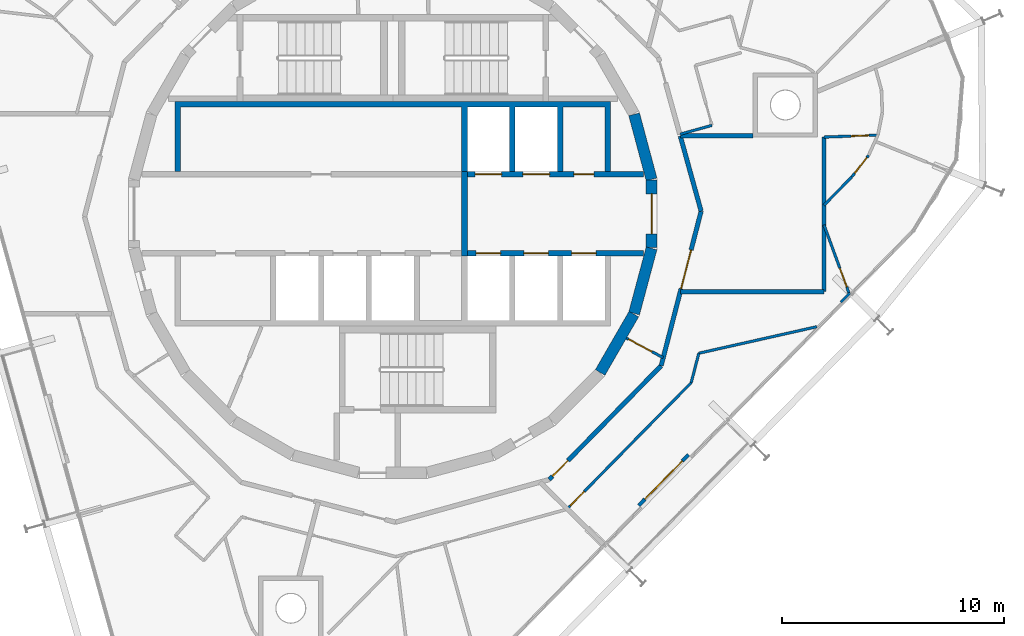
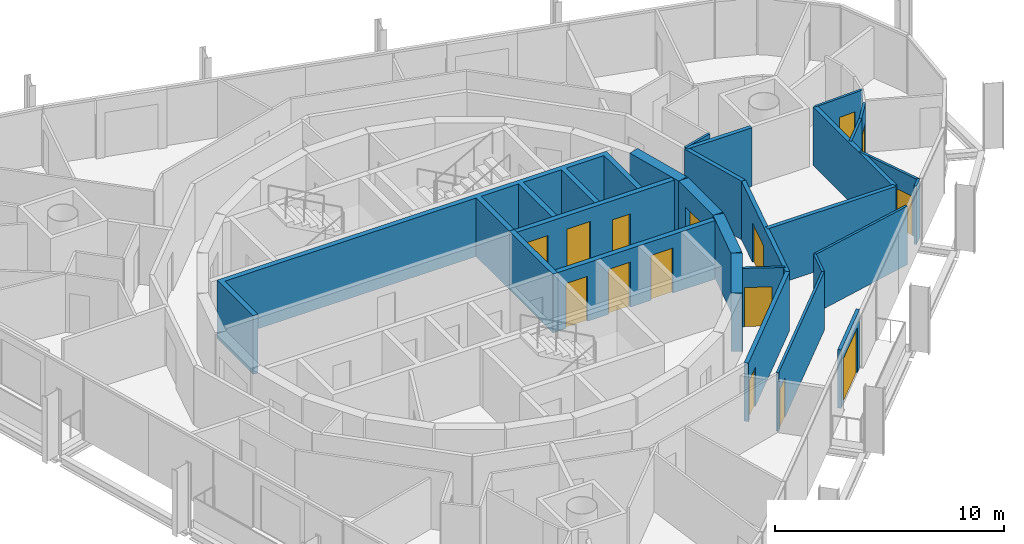
# One storey, part 11 of 15: 25 walls, 15 doors, 15 openings.
"""IFC4 building model written with IfcOpenShell, lengths in metres."""

from ifc_helpers import new_model, si_unit, direction, frame, frame_2d, origin, place, context, subcontext, project, spatial, polyline, rectangle, outline, extrude, material, layer, layer_set, type_object, element, fill, save


model = new_model("IFC4")

# Units and contexts
model_context = context("Model", 3, precision=1e-05, world=origin(), true_north=direction((0.0, 1.0)))
body_context = subcontext(model_context, "Body", "Model", "MODEL_VIEW")
ifc_project = project(units=[si_unit("LENGTHUNIT", "METRE"), si_unit("AREAUNIT", "SQUARE_METRE"), si_unit("VOLUMEUNIT", "CUBIC_METRE"), si_unit("PLANEANGLEUNIT", "RADIAN"), si_unit("MASSUNIT", "GRAM", prefix="KILO")], contexts=[model_context])

# Site, building, storey
site_placement = place(None, origin())
site = spatial("IfcSite", under=ifc_project, at=site_placement, CompositionType="ELEMENT")
building_placement = place(site_placement, origin())
building = spatial("IfcBuilding", under=site, at=building_placement, Name="Spindle Arch Residences", CompositionType="ELEMENT")
storey_placement = place(building_placement, frame((0.0, 0.0, 308.699951171875)))
storey = spatial("IfcBuildingStorey", under=building, at=storey_placement, Name="L79", CompositionType="ELEMENT", Elevation=308.699951171875)

# Walls
ifc_material_1 = material(Name="Concrete C50/60", Category="concrete")
ifc_layer_1 = layer(ifc_material_1, 0.5)
ifc_layer_set_1 = layer_set([ifc_layer_1], Name="Core outline wall 500")
wall_type_1 = type_object("IfcWallType", Name="Core outline wall 500", PredefinedType="SHEAR", material=ifc_layer_set_1)
for number, where, z_axis, x_axis, name in (
    (1, (9.32861328125, -7.13671875, 0.0), (0.0, 0.0, 1.0), (0.500087131594, 0.865975092491, 0.0), "Core outline wall 4"),
    (2, (10.858154296875, -4.479248046875, 0.0), (0.0, 0.0, 1.0), (0.258734743916, 0.965948410781, 0.0), "Core outline wall 5"),
):
    element("IfcWall", number, at=place(storey_placement, frame(where, z_axis=z_axis, x_axis=x_axis)), inside=storey, type_object=wall_type_1, Name=name, PredefinedType="SHEAR", context=body_context, shape_type="SweptSolid", body=[
        extrude(rectangle(XDim=3.03271484375, YDim=0.5, at=frame_2d((1.516357421875, 0.0))), origin(), (0.0, 0.0, 1.0), 3.1201171875),
    ])

# Wall, opening, door
wall_1_placement = place(storey_placement, frame((11.647216796875, -1.516357421875, 0.0), z_axis=(0.0, 0.0, 1.0), x_axis=(0.0, 1.0, 0.0)))
wall_1 = element("IfcWall", 3, at=wall_1_placement, inside=storey, type_object=wall_type_1, Name="Core outline wall 6", PredefinedType="SHEAR", context=body_context, shape_type="SweptSolid", body=[
    extrude(rectangle(XDim=3.03271484375, YDim=0.5, at=frame_2d((1.516357421875, 0.0))), origin(), (0.0, 0.0, 1.0), 3.1201171875),
])
opening_1_placement = place(wall_1_placement, frame((0.6162109375, 0.0, 0.0)))
opening_1 = element("IfcOpeningElement", 4, at=opening_1_placement, cuts=wall_1, Name="Opening R8B1-FE01", PredefinedType="OPENING", context=body_context, shape_type="SweptSolid", body=[
    extrude(rectangle(XDim=1.800048828125, YDim=2.10009765625, at=frame_2d((0.89990234375, 1.050048828125))), frame((0.0, 0.260009765625, 0.0), z_axis=(0.0, -1.0, 0.0), x_axis=(1.0, 0.0, 0.0)), (0.0, 0.0, 1.0), 0.52001953125),
])
ifc_material_2 = material(Name="Steel, fire-resisting door", Category="steel")
door_type_1 = type_object("IfcDoorType", Name="Fire-lift lobby door 1800x2100", OperationType="DOUBLE_DOOR_SINGLE_SWING", PredefinedType="DOOR", material=ifc_material_2)
door_1_placement = place(opening_1_placement, origin())
door_1 = element("IfcDoor", 5, at=door_1_placement, inside=storey, type_object=door_type_1, Name="Fire-lift lobby door R8B1-FE01", OperationType="DOUBLE_DOOR_SINGLE_SWING", OverallHeight=2.10009765625, OverallWidth=1.800048828125, PredefinedType="DOOR", context=body_context, shape_type="SweptSolid", body=[
    extrude(rectangle(XDim=1.800048828125, YDim=2.10009765625, at=frame_2d((0.89990234375, 1.050048828125))), frame((0.0, 0.02490234375, 0.0), z_axis=(0.0, -1.0, 0.0), x_axis=(1.0, 0.0, 0.0)), (0.0, 0.0, 1.0), 0.050048828125),
])
fill(opening_1, door_1)

# Wall
wall_2_placement = place(storey_placement, frame((11.642822265625, 1.5498046875, 0.0), z_axis=(0.0, 0.0, 1.0), x_axis=(-0.258734743916, 0.965948410781, 0.0)))
element("IfcWall", 6, at=wall_2_placement, inside=storey, type_object=wall_type_1, Name="Core outline wall 7", PredefinedType="SHEAR", context=body_context, shape_type="SweptSolid", body=[
    extrude(rectangle(XDim=3.03271484375, YDim=0.5, at=frame_2d((1.516357421875, 0.0))), origin(), (0.0, 0.0, 1.0), 3.1201171875),
])

# Wall, opening, door
ifc_material_3 = material(Name="Plasterboard on steel studs", Category="steel")
ifc_layer_2 = layer(ifc_material_3, 0.1201171875)
ifc_layer_set_2 = layer_set([ifc_layer_2], Name="Corridor division wall 120")
wall_type_2 = type_object("IfcWallType", Name="Corridor division wall 120", PredefinedType="PARTITIONING", material=ifc_layer_set_2)
wall_3_placement = place(storey_placement, frame((10.510986328125, -5.5888671875, 0.0), z_axis=(0.0, 0.0, 1.0), x_axis=(0.882957311919, -0.469453283437, 0.0)))
wall_3 = element("IfcWall", 7, at=wall_3_placement, inside=storey, type_object=wall_type_2, Name="Corridor division wall R8B1-W002", PredefinedType="PARTITIONING", context=body_context, shape_type="SweptSolid", body=[
    extrude(rectangle(XDim=1.87646484375, YDim=0.1201171875, at=frame_2d((0.938232421875, 0.0))), origin(), (0.0, 0.0, 1.0), 3.1201171875),
])
opening_2_placement = place(wall_3_placement, frame((0.10009765625, 0.0, 0.0)))
opening_2 = element("IfcOpeningElement", 8, at=opening_2_placement, cuts=wall_3, Name="Opening R8B1-CD02", PredefinedType="OPENING", context=body_context, shape_type="SweptSolid", body=[
    extrude(rectangle(XDim=1.199951171875, YDim=2.10009765625, at=frame_2d((0.60009765625, 1.050048828125))), frame((0.0, 0.070068359375, 0.0), z_axis=(0.0, -1.0, 0.0), x_axis=(1.0, 0.0, 0.0)), (0.0, 0.0, 1.0), 0.14013671875),
])
ifc_material_4 = material(Name="Steel, fire-resisting door", Category="steel")
door_type_2 = type_object("IfcDoorType", Name="Corridor division door 1200x2100", OperationType="NOTDEFINED", PredefinedType="DOOR", material=ifc_material_4)
door_2_placement = place(opening_2_placement, origin())
door_2 = element("IfcDoor", 9, at=door_2_placement, inside=storey, type_object=door_type_2, Name="Corridor division door R8B1-CD02", OperationType="DOUBLE_DOOR_SINGLE_SWING", OverallHeight=2.10009765625, OverallWidth=1.199951171875, PredefinedType="DOOR", context=body_context, shape_type="SweptSolid", body=[
    extrude(rectangle(XDim=1.199951171875, YDim=2.10009765625, at=frame_2d((0.60009765625, 1.050048828125))), frame((0.0, 0.02490234375, 0.0), z_axis=(0.0, -1.0, 0.0), x_axis=(1.0, 0.0, 0.0)), (0.0, 0.0, 1.0), 0.050048828125),
])
fill(opening_2, door_2)

ifc_material_5 = material(Name="Calcium silicate block, plastered")
ifc_layer_3 = layer(ifc_material_5, 0.199951171875)
ifc_layer_set_3 = layer_set([ifc_layer_3], Name="Corridor wall 200")
wall_type_3 = type_object("IfcWallType", Name="Corridor wall 200", PredefinedType="STANDARD", material=ifc_layer_set_3)
wall_4_placement = place(storey_placement, frame((7.041015625, -11.953125, 0.0), z_axis=(0.0, 0.0, 1.0), x_axis=(0.70090916255, 0.713250549143, 0.0)))
wall_4 = element("IfcWall", 10, at=wall_4_placement, inside=storey, type_object=wall_type_3, Name="Corridor wall R8B1-W016", PredefinedType="STANDARD", context=body_context, shape_type="SweptSolid", body=[
    extrude(rectangle(XDim=7.180908203125, YDim=0.199951171875, at=frame_2d((3.59033203125, 0.0))), origin(), (0.0, 0.0, 1.0), 3.1201171875),
])
opening_3_placement = place(wall_4_placement, frame((0.199951171875, 0.0, 0.0)))
opening_3 = element("IfcOpeningElement", 11, at=opening_3_placement, cuts=wall_4, Name="Opening R8B1-FD06", PredefinedType="OPENING", context=body_context, shape_type="SweptSolid", body=[
    extrude(rectangle(XDim=1.0, YDim=2.10009765625, at=frame_2d((0.5, 1.050048828125))), frame((0.0, 0.10986328125, 0.0), z_axis=(0.0, -1.0, 0.0), x_axis=(1.0, 0.0, 0.0)), (0.0, 0.0, 1.0), 0.219970703125),
])
ifc_material_6 = material(Name="Timber, fire-resisting door set", Category="wood")
door_type_3 = type_object("IfcDoorType", Name="Flat entrance door 1000x2100", OperationType="NOTDEFINED", PredefinedType="DOOR", material=ifc_material_6)
door_3_placement = place(opening_3_placement, origin())
door_3 = element("IfcDoor", 12, at=door_3_placement, inside=storey, type_object=door_type_3, Name="Flat entrance door R8B1-FD06", OperationType="SINGLE_SWING_LEFT", OverallHeight=2.10009765625, OverallWidth=1.0, PredefinedType="DOOR", context=body_context, shape_type="SweptSolid", body=[
    extrude(rectangle(XDim=1.0, YDim=2.10009765625, at=frame_2d((0.5, 1.050048828125))), frame((0.0, 0.02490234375, 0.0), z_axis=(0.0, -1.0, 0.0), x_axis=(1.0, 0.0, 0.0)), (0.0, 0.0, 1.0), 0.050048828125),
])
fill(opening_3, door_3)

ifc_material_7 = material(Name="Calcium silicate block, plastered")
ifc_layer_4 = layer(ifc_material_7, 0.199951171875)
ifc_layer_set_4 = layer_set([ifc_layer_4], Name="Fire-lift lobby bay wall 200")
wall_type_4 = type_object("IfcWallType", Name="Fire-lift lobby bay wall 200", PredefinedType="STANDARD", material=ifc_layer_set_4)
wall_5_placement = place(storey_placement, frame((12.07421875, -6.831298828125, 0.0), z_axis=(0.0, 0.0, 1.0), x_axis=(0.250391063186, 0.968144780225, 0.0)))
wall_5 = element("IfcWall", 13, at=wall_5_placement, inside=storey, type_object=wall_type_4, Name="Fire-lift lobby bay wall R8B1-W004", PredefinedType="STANDARD", context=body_context, shape_type="SweptSolid", body=[
    extrude(rectangle(XDim=7.18115234375, YDim=0.199951171875, at=frame_2d((3.590576171875, 0.0))), origin(), (0.0, 0.0, 1.0), 3.1201171875),
])
opening_4_placement = place(wall_5_placement, frame((3.580810546875, 0.0, 0.0)))
opening_4 = element("IfcOpeningElement", 14, at=opening_4_placement, cuts=wall_5, Name="Opening R8B1-FB01", PredefinedType="OPENING", context=body_context, shape_type="SweptSolid", body=[
    extrude(rectangle(XDim=1.800048828125, YDim=2.10009765625, at=frame_2d((0.89990234375, 1.050048828125))), frame((0.0, 0.10986328125, 0.0), z_axis=(0.0, -1.0, 0.0), x_axis=(1.0, 0.0, 0.0)), (0.0, 0.0, 1.0), 0.219970703125),
])
ifc_material_8 = material(Name="Steel, fire-resisting door", Category="steel")
door_type_4 = type_object("IfcDoorType", Name="Fire-lift lobby bay door 1800x2100", OperationType="NOTDEFINED", PredefinedType="DOOR", material=ifc_material_8)
door_4_placement = place(opening_4_placement, origin())
door_4 = element("IfcDoor", 15, at=door_4_placement, inside=storey, type_object=door_type_4, Name="Fire-lift lobby bay door R8B1-FB01", OperationType="DOUBLE_DOOR_SINGLE_SWING", OverallHeight=2.10009765625, OverallWidth=1.800048828125, PredefinedType="DOOR", context=body_context, shape_type="SweptSolid", body=[
    extrude(rectangle(XDim=1.800048828125, YDim=2.10009765625, at=frame_2d((0.89990234375, 1.050048828125))), frame((0.0, 0.02490234375, 0.0), z_axis=(0.0, -1.0, 0.0), x_axis=(1.0, 0.0, 0.0)), (0.0, 0.0, 1.0), 0.050048828125),
])
fill(opening_4, door_4)

# Walls
wall_6_placement = place(storey_placement, frame((13.872314453125, 0.12109375, 0.0), z_axis=(0.0, 0.0, 1.0), x_axis=(-0.267291928416, 0.963615600228, 0.0)))
element("IfcWall", 16, at=wall_6_placement, inside=storey, type_object=wall_type_4, Name="Fire-lift lobby bay wall R8B1-W005", PredefinedType="STANDARD", context=body_context, shape_type="SweptSolid", body=[
    extrude(rectangle(XDim=3.506591796875, YDim=0.199951171875, at=frame_2d((1.75341796875, 0.0))), origin(), (0.0, 0.0, 1.0), 3.1201171875),
])
wall_7_placement = place(storey_placement, frame((16.20263671875, 3.510009765625, 0.0), z_axis=(0.0, 0.0, 1.0), x_axis=(-1.0, 0.0, 0.0)))
element("IfcWall", 17, at=wall_7_placement, inside=storey, type_object=wall_type_4, Name="Fire-lift lobby bay wall R8B1-W019", PredefinedType="STANDARD", context=body_context, shape_type="SweptSolid", body=[
    extrude(rectangle(XDim=3.260009765625, YDim=0.199951171875, at=frame_2d((1.6298828125, 0.0))), origin(), (0.0, 0.0, 1.0), 3.1201171875),
])
wall_8_placement = place(storey_placement, frame((12.935791015625, -3.5, 0.0), z_axis=(0.0, 0.0, 1.0), x_axis=(1.0, 0.0, 0.0)))
element("IfcWall", 18, at=wall_8_placement, inside=storey, type_object=wall_type_4, Name="Fire-lift lobby bay wall R8B1-W020", PredefinedType="STANDARD", context=body_context, shape_type="SweptSolid", body=[
    extrude(rectangle(XDim=6.464111328125, YDim=0.199951171875, at=frame_2d((3.23193359375, 0.0))), origin(), (0.0, 0.0, 1.0), 3.1201171875),
])
wall_9_placement = place(storey_placement, frame((19.39990234375, -3.5, 0.0), z_axis=(0.0, 0.0, 1.0), x_axis=(0.0, 1.0, 0.0)))
element("IfcWall", 19, at=wall_9_placement, inside=storey, type_object=wall_type_4, Name="Fire-lift lobby bay wall R8B1-W021", PredefinedType="STANDARD", context=body_context, shape_type="SweptSolid", body=[
    extrude(rectangle(XDim=6.953857421875, YDim=0.199951171875, at=frame_2d((3.47705078125, 0.0))), origin(), (0.0, 0.0, 1.0), 3.1201171875),
])

# Wall, openings, doors
ifc_material_9 = material(Name="Concrete C40/50", Category="concrete")
ifc_layer_5 = layer(ifc_material_9, 0.25)
ifc_layer_set_5 = layer_set([ifc_layer_5], Name="Fire-lift lobby wall 250")
wall_type_5 = type_object("IfcWallType", Name="Fire-lift lobby wall 250", PredefinedType="SHEAR", material=ifc_layer_set_5)
wall_10_placement = place(storey_placement, frame((3.35009765625, 1.77490234375, 0.0), z_axis=(0.0, 0.0, 1.0), x_axis=(1.0, 0.0, 0.0)))
wall_10 = element("IfcWall", 20, at=wall_10_placement, inside=storey, type_object=wall_type_5, Name="Lift shaft front wall NE", PredefinedType="SHEAR", context=body_context, shape_type="SweptSolid", body=[
    extrude(rectangle(XDim=7.929931640625, YDim=0.25, at=frame_2d((3.96484375, 0.0))), origin(), (0.0, 0.0, 1.0), 3.1201171875),
])
opening_5_placement = place(wall_10_placement, frame((0.35009765625, 0.0, 0.0)))
opening_5 = element("IfcOpeningElement", 21, at=opening_5_placement, cuts=wall_10, Name="Opening R8B1-SLD01", PredefinedType="OPENING", context=body_context, shape_type="SweptSolid", body=[
    extrude(rectangle(XDim=1.199951171875, YDim=2.39990234375, at=frame_2d((0.60009765625, 1.199951171875))), frame((0.0, 0.135009765625, 0.0), z_axis=(0.0, -1.0, 0.0), x_axis=(1.0, 0.0, 0.0)), (0.0, 0.0, 1.0), 0.27001953125),
])
opening_6_placement = place(wall_10_placement, frame((2.5, 0.0, 0.0)))
opening_6 = element("IfcOpeningElement", 22, at=opening_6_placement, cuts=wall_10, Name="Opening R8B1-SLD02", PredefinedType="OPENING", context=body_context, shape_type="SweptSolid", body=[
    extrude(rectangle(XDim=1.199951171875, YDim=2.39990234375, at=frame_2d((0.60009765625, 1.199951171875))), frame((0.0, 0.135009765625, 0.0), z_axis=(0.0, -1.0, 0.0), x_axis=(1.0, 0.0, 0.0)), (0.0, 0.0, 1.0), 0.27001953125),
])
opening_7_placement = place(wall_10_placement, frame((4.800048828125, 0.0, 0.0)))
opening_7 = element("IfcOpeningElement", 23, at=opening_7_placement, cuts=wall_10, Name="Opening R8B1-WD02", PredefinedType="OPENING", context=body_context, shape_type="SweptSolid", body=[
    extrude(rectangle(XDim=0.89990234375, YDim=2.10009765625, at=frame_2d((0.449951171875, 1.050048828125))), frame((0.0, 0.135009765625, 0.0), z_axis=(0.0, -1.0, 0.0), x_axis=(1.0, 0.0, 0.0)), (0.0, 0.0, 1.0), 0.27001953125),
])
ifc_material_10 = material(Name="Steel, fire-resisting landing door", Category="steel")
door_type_5 = type_object("IfcDoorType", Name="Service lift landing door 1200x2400", OperationType="DOUBLE_DOOR_SLIDING", PredefinedType="DOOR", material=ifc_material_10)
door_5_placement = place(opening_5_placement, origin())
door_5 = element("IfcDoor", 24, at=door_5_placement, inside=storey, type_object=door_type_5, Name="Service lift landing door R8B1-SLD01", OperationType="DOUBLE_DOOR_SLIDING", OverallHeight=2.39990234375, OverallWidth=1.199951171875, PredefinedType="DOOR", context=body_context, shape_type="SweptSolid", body=[
    extrude(rectangle(XDim=1.199951171875, YDim=2.39990234375, at=frame_2d((0.60009765625, 1.199951171875))), frame((0.0, 0.02490234375, 0.0), z_axis=(0.0, -1.0, 0.0), x_axis=(1.0, 0.0, 0.0)), (0.0, 0.0, 1.0), 0.050048828125),
])
fill(opening_5, door_5)
door_6_placement = place(opening_6_placement, origin())
door_6 = element("IfcDoor", 25, at=door_6_placement, inside=storey, type_object=door_type_5, Name="Service lift landing door R8B1-SLD02", OperationType="DOUBLE_DOOR_SLIDING", OverallHeight=2.39990234375, OverallWidth=1.199951171875, PredefinedType="DOOR", context=body_context, shape_type="SweptSolid", body=[
    extrude(rectangle(XDim=1.199951171875, YDim=2.39990234375, at=frame_2d((0.60009765625, 1.199951171875))), frame((0.0, 0.02490234375, 0.0), z_axis=(0.0, -1.0, 0.0), x_axis=(1.0, 0.0, 0.0)), (0.0, 0.0, 1.0), 0.050048828125),
])
fill(opening_6, door_6)
ifc_material_11 = material(Name="Steel, fire-resisting door", Category="steel")
door_type_6 = type_object("IfcDoorType", Name="Service room door 900x2100", OperationType="SINGLE_SWING_LEFT", PredefinedType="DOOR", material=ifc_material_11)
door_7_placement = place(opening_7_placement, origin())
door_7 = element("IfcDoor", 26, at=door_7_placement, inside=storey, type_object=door_type_6, Name="Service room door R8B1-WD02", OperationType="SINGLE_SWING_RIGHT", OverallHeight=2.10009765625, OverallWidth=0.89990234375, PredefinedType="DOOR", context=body_context, shape_type="SweptSolid", body=[
    extrude(rectangle(XDim=0.89990234375, YDim=2.10009765625, at=frame_2d((0.449951171875, 1.050048828125))), frame((0.0, 0.02490234375, 0.0), z_axis=(0.0, -1.0, 0.0), x_axis=(1.0, 0.0, 0.0)), (0.0, 0.0, 1.0), 0.050048828125),
])
fill(opening_7, door_7)

# Wall
wall_11_placement = place(storey_placement, frame((3.22509765625, -1.89990234375, 0.0), z_axis=(0.0, 0.0, 1.0), x_axis=(0.0, 1.0, 0.0)))
element("IfcWall", 27, at=wall_11_placement, inside=storey, type_object=wall_type_5, Name="Fire-fighting lobby partition", PredefinedType="SHEAR", context=body_context, shape_type="SweptSolid", body=[
    extrude(rectangle(XDim=3.7998046875, YDim=0.25, at=frame_2d((1.89990234375, 0.0))), origin(), (0.0, 0.0, 1.0), 3.1201171875),
])

# Wall, openings, doors
ifc_material_12 = material(Name="Concrete C50/60", Category="concrete")
ifc_layer_6 = layer(ifc_material_12, 0.25)
ifc_layer_set_6 = layer_set([ifc_layer_6], Name="Fire-lift shaft wall 250")
wall_type_6 = type_object("IfcWallType", Name="Fire-lift shaft wall 250", PredefinedType="SHEAR", material=ifc_layer_set_6)
wall_12_placement = place(storey_placement, frame((3.35009765625, -1.77490234375, 0.0), z_axis=(0.0, 0.0, 1.0), x_axis=(1.0, 0.0, 0.0)))
wall_12 = element("IfcWall", 28, at=wall_12_placement, inside=storey, type_object=wall_type_6, Name="Lift shaft front wall SE", PredefinedType="SHEAR", context=body_context, shape_type="SweptSolid", body=[
    extrude(rectangle(XDim=7.929931640625, YDim=0.25, at=frame_2d((3.96484375, 0.0))), origin(), (0.0, 0.0, 1.0), 3.1201171875),
])
opening_8_placement = place(wall_12_placement, frame((0.39990234375, 0.0, 0.0)))
opening_8 = element("IfcOpeningElement", 29, at=opening_8_placement, cuts=wall_12, Name="Opening R8B1-FLD01", PredefinedType="OPENING", context=body_context, shape_type="SweptSolid", body=[
    extrude(rectangle(XDim=1.10009765625, YDim=2.39990234375, at=frame_2d((0.550048828125, 1.199951171875))), frame((0.0, 0.135009765625, 0.0), z_axis=(0.0, -1.0, 0.0), x_axis=(1.0, 0.0, 0.0)), (0.0, 0.0, 1.0), 0.27001953125),
])
opening_9_placement = place(wall_12_placement, frame((2.550048828125, 0.0, 0.0)))
opening_9 = element("IfcOpeningElement", 30, at=opening_9_placement, cuts=wall_12, Name="Opening R8B1-FLD02", PredefinedType="OPENING", context=body_context, shape_type="SweptSolid", body=[
    extrude(rectangle(XDim=1.10009765625, YDim=2.39990234375, at=frame_2d((0.550048828125, 1.199951171875))), frame((0.0, 0.135009765625, 0.0), z_axis=(0.0, -1.0, 0.0), x_axis=(1.0, 0.0, 0.0)), (0.0, 0.0, 1.0), 0.27001953125),
])
opening_10_placement = place(wall_12_placement, frame((4.699951171875, 0.0, 0.0)))
opening_10 = element("IfcOpeningElement", 31, at=opening_10_placement, cuts=wall_12, Name="Opening R8B1-FLD03", PredefinedType="OPENING", context=body_context, shape_type="SweptSolid", body=[
    extrude(rectangle(XDim=1.10009765625, YDim=2.39990234375, at=frame_2d((0.550048828125, 1.199951171875))), frame((0.0, 0.135009765625, 0.0), z_axis=(0.0, -1.0, 0.0), x_axis=(1.0, 0.0, 0.0)), (0.0, 0.0, 1.0), 0.27001953125),
])
ifc_material_13 = material(Name="Steel, fire-resisting landing door", Category="steel")
door_type_7 = type_object("IfcDoorType", Name="Fire-fighting lift landing door 1100x2400", OperationType="DOUBLE_DOOR_SLIDING", PredefinedType="DOOR", material=ifc_material_13)
door_8_placement = place(opening_8_placement, origin())
door_8 = element("IfcDoor", 32, at=door_8_placement, inside=storey, type_object=door_type_7, Name="Fire-fighting lift landing door R8B1-FLD01", OperationType="DOUBLE_DOOR_SLIDING", OverallHeight=2.39990234375, OverallWidth=1.10009765625, PredefinedType="DOOR", context=body_context, shape_type="SweptSolid", body=[
    extrude(rectangle(XDim=1.10009765625, YDim=2.39990234375, at=frame_2d((0.550048828125, 1.199951171875))), frame((0.0, 0.02490234375, 0.0), z_axis=(0.0, -1.0, 0.0), x_axis=(1.0, 0.0, 0.0)), (0.0, 0.0, 1.0), 0.050048828125),
])
fill(opening_8, door_8)
door_9_placement = place(opening_9_placement, origin())
door_9 = element("IfcDoor", 33, at=door_9_placement, inside=storey, type_object=door_type_7, Name="Fire-fighting lift landing door R8B1-FLD02", OperationType="DOUBLE_DOOR_SLIDING", OverallHeight=2.39990234375, OverallWidth=1.10009765625, PredefinedType="DOOR", context=body_context, shape_type="SweptSolid", body=[
    extrude(rectangle(XDim=1.10009765625, YDim=2.39990234375, at=frame_2d((0.550048828125, 1.199951171875))), frame((0.0, 0.02490234375, 0.0), z_axis=(0.0, -1.0, 0.0), x_axis=(1.0, 0.0, 0.0)), (0.0, 0.0, 1.0), 0.050048828125),
])
fill(opening_9, door_9)
door_10_placement = place(opening_10_placement, origin())
door_10 = element("IfcDoor", 34, at=door_10_placement, inside=storey, type_object=door_type_7, Name="Fire-fighting lift landing door R8B1-FLD03", OperationType="DOUBLE_DOOR_SLIDING", OverallHeight=2.39990234375, OverallWidth=1.10009765625, PredefinedType="DOOR", context=body_context, shape_type="SweptSolid", body=[
    extrude(rectangle(XDim=1.10009765625, YDim=2.39990234375, at=frame_2d((0.550048828125, 1.199951171875))), frame((0.0, 0.02490234375, 0.0), z_axis=(0.0, -1.0, 0.0), x_axis=(1.0, 0.0, 0.0)), (0.0, 0.0, 1.0), 0.050048828125),
])
fill(opening_10, door_10)

# Walls
ifc_material_14 = material(Name="Plasterboard on steel studs", Category="steel")
ifc_layer_7 = layer(ifc_material_14, 0.1201171875)
ifc_layer_set_7 = layer_set([ifc_layer_7], Name="Flat partition 120")
wall_type_7 = type_object("IfcWallType", Name="Flat partition 120", PredefinedType="PARTITIONING", material=ifc_layer_set_7)
wall_13_placement = place(storey_placement, frame((12.927001953125, 3.5849609375, 0.0), z_axis=(0.0, 0.0, 1.0), x_axis=(0.963616756608, 0.26728775951, 0.0)))
element("IfcWall", 35, at=wall_13_placement, inside=storey, type_object=wall_type_7, Name="Flat partition R8B1-W030", PredefinedType="PARTITIONING", context=body_context, shape_type="SweptSolid", body=[
    extrude(rectangle(XDim=1.485107421875, YDim=0.1201171875, at=frame_2d((0.74267578125, 0.0))), origin(), (0.0, 0.0, 1.0), 3.1201171875),
])
wall_14_placement = place(storey_placement, frame((20.56591796875, -3.56103515625, 0.0), z_axis=(0.0, 0.0, 1.0), x_axis=(-0.700950066256, -0.713210350889, 0.0)))
element("IfcWall", 36, at=wall_14_placement, inside=storey, type_object=wall_type_7, Name="Flat partition R8B1-W074", PredefinedType="PARTITIONING", context=body_context, shape_type="SweptSolid", body=[
    extrude(rectangle(XDim=0.577392578125, YDim=0.1201171875, at=frame_2d((0.28857421875, 0.0))), origin(), (0.0, 0.0, 1.0), 3.1201171875),
])

# Wall, opening, door
wall_15_placement = place(storey_placement, frame((20.534912109375, -3.592529296875, 0.0), z_axis=(0.0, 0.0, 1.0), x_axis=(-0.344065452993, 0.93894566619, 0.0)))
wall_15 = element("IfcWall", 37, at=wall_15_placement, inside=storey, type_object=wall_type_7, Name="Flat partition R8B1-W075", PredefinedType="PARTITIONING", context=body_context, shape_type="SweptSolid", body=[
    extrude(rectangle(XDim=3.298828125, YDim=0.1201171875, at=frame_2d((1.6494140625, 0.0))), origin(), (0.0, 0.0, 1.0), 3.1201171875),
])
opening_11_placement = place(wall_15_placement, frame((0.320068359375, 0.0, 0.0)))
opening_11 = element("IfcOpeningElement", 38, at=opening_11_placement, cuts=wall_15, Name="Opening R8B1-ID18", PredefinedType="OPENING", context=body_context, shape_type="SweptSolid", body=[
    extrude(rectangle(XDim=0.89990234375, YDim=2.10009765625, at=frame_2d((0.449951171875, 1.050048828125))), frame((0.0, 0.070068359375, 0.0), z_axis=(0.0, -1.0, 0.0), x_axis=(1.0, 0.0, 0.0)), (0.0, 0.0, 1.0), 0.14013671875),
])
ifc_material_15 = material(Name="Timber door set", Category="wood")
door_type_8 = type_object("IfcDoorType", Name="Room door 900x2100", OperationType="NOTDEFINED", PredefinedType="DOOR", material=ifc_material_15)
door_11_placement = place(opening_11_placement, origin())
door_11 = element("IfcDoor", 39, at=door_11_placement, inside=storey, type_object=door_type_8, Name="Room door R8B1-ID18", OperationType="SINGLE_SWING_RIGHT", OverallHeight=2.10009765625, OverallWidth=0.89990234375, PredefinedType="DOOR", context=body_context, shape_type="SweptSolid", body=[
    extrude(rectangle(XDim=0.89990234375, YDim=2.10009765625, at=frame_2d((0.449951171875, 1.050048828125))), frame((0.0, 0.02490234375, 0.0), z_axis=(0.0, -1.0, 0.0), x_axis=(1.0, 0.0, 0.0)), (0.0, 0.0, 1.0), 0.050048828125),
])
fill(opening_11, door_11)

wall_16_placement = place(storey_placement, frame((7.846435546875, -13.2734375, 0.0), z_axis=(0.0, 0.0, 1.0), x_axis=(0.700915117659, 0.713244697027, 0.0)))
wall_16 = element("IfcWall", 40, at=wall_16_placement, inside=storey, type_object=wall_type_7, Name="Flat partition R8B1-W076", PredefinedType="PARTITIONING", context=body_context, shape_type="SweptSolid", body=[
    extrude(rectangle(XDim=7.960205078125, YDim=0.1201171875, at=frame_2d((3.97998046875, 0.0))), origin(), (0.0, 0.0, 1.0), 3.1201171875),
])
opening_12_placement = place(wall_16_placement, frame((0.199951171875, 0.0, 0.0)))
opening_12 = element("IfcOpeningElement", 41, at=opening_12_placement, cuts=wall_16, Name="Opening R8B1-ID19", PredefinedType="OPENING", context=body_context, shape_type="SweptSolid", body=[
    extrude(rectangle(XDim=0.89990234375, YDim=2.10009765625, at=frame_2d((0.449951171875, 1.050048828125))), frame((0.0, 0.070068359375, 0.0), z_axis=(0.0, -1.0, 0.0), x_axis=(1.0, 0.0, 0.0)), (0.0, 0.0, 1.0), 0.14013671875),
])
door_12_placement = place(opening_12_placement, origin())
door_12 = element("IfcDoor", 42, at=door_12_placement, inside=storey, type_object=door_type_8, Name="Room door R8B1-ID19", OperationType="SINGLE_SWING_LEFT", OverallHeight=2.10009765625, OverallWidth=0.89990234375, PredefinedType="DOOR", context=body_context, shape_type="SweptSolid", body=[
    extrude(rectangle(XDim=0.89990234375, YDim=2.10009765625, at=frame_2d((0.449951171875, 1.050048828125))), frame((0.0, 0.02490234375, 0.0), z_axis=(0.0, -1.0, 0.0), x_axis=(1.0, 0.0, 0.0)), (0.0, 0.0, 1.0), 0.050048828125),
])
fill(opening_12, door_12)

# Walls
wall_17_placement = place(storey_placement, frame((13.42578125, -7.595947265625, 0.0), z_axis=(0.0, 0.0, 1.0), x_axis=(0.250417410425, 0.968137965662, 0.0)))
element("IfcWall", 43, at=wall_17_placement, inside=storey, type_object=wall_type_7, Name="Flat partition R8B1-W077", PredefinedType="PARTITIONING", context=body_context, shape_type="SweptSolid", body=[
    extrude(rectangle(XDim=1.368896484375, YDim=0.1201171875, at=frame_2d((0.6845703125, 0.0))), origin(), (0.0, 0.0, 1.0), 3.1201171875),
])
wall_18_placement = place(storey_placement, frame((13.7685546875, -6.270751953125, 0.0), z_axis=(0.0, 0.0, 1.0), x_axis=(0.975656114164, 0.219306057589, 0.0)))
element("IfcWall", 44, at=wall_18_placement, inside=storey, type_object=wall_type_7, Name="Flat partition R8B1-W078", PredefinedType="PARTITIONING", context=body_context, shape_type="SweptSolid", body=[
    extrude(rectangle(XDim=5.439208984375, YDim=0.1201171875, at=frame_2d((2.7197265625, 0.0))), origin(), (0.0, 0.0, 1.0), 3.1201171875),
])

# Wall, opening, door
wall_19_placement = place(storey_placement, frame((21.406494140625, 2.6337890625, 0.0), z_axis=(0.0, 0.0, 1.0), x_axis=(-0.613444581667, -0.789737769911, 0.0)))
wall_19 = element("IfcWall", 45, at=wall_19_placement, inside=storey, type_object=wall_type_7, Name="Flat partition R8B1-W080", PredefinedType="PARTITIONING", context=body_context, shape_type="SweptSolid", body=[
    extrude(rectangle(XDim=1.22705078125, YDim=0.1201171875, at=frame_2d((0.613525390625, 0.0))), origin(), (0.0, 0.0, 1.0), 3.1201171875),
])
opening_13_placement = place(wall_19_placement, frame((0.1201171875, 0.0, 0.0)))
opening_13 = element("IfcOpeningElement", 46, at=opening_13_placement, cuts=wall_19, Name="Opening R8B1-ID20", PredefinedType="OPENING", context=body_context, shape_type="SweptSolid", body=[
    extrude(rectangle(XDim=0.89990234375, YDim=2.10009765625, at=frame_2d((0.449951171875, 1.050048828125))), frame((0.0, 0.070068359375, 0.0), z_axis=(0.0, -1.0, 0.0), x_axis=(1.0, 0.0, 0.0)), (0.0, 0.0, 1.0), 0.14013671875),
])
door_13_placement = place(opening_13_placement, origin())
door_13 = element("IfcDoor", 47, at=door_13_placement, inside=storey, type_object=door_type_8, Name="Room door R8B1-ID20", OperationType="SINGLE_SWING_RIGHT", OverallHeight=2.10009765625, OverallWidth=0.89990234375, PredefinedType="DOOR", context=body_context, shape_type="SweptSolid", body=[
    extrude(rectangle(XDim=0.89990234375, YDim=2.10009765625, at=frame_2d((0.449951171875, 1.050048828125))), frame((0.0, 0.02490234375, 0.0), z_axis=(0.0, -1.0, 0.0), x_axis=(1.0, 0.0, 0.0)), (0.0, 0.0, 1.0), 0.050048828125),
])
fill(opening_13, door_13)

# Wall
wall_20_placement = place(storey_placement, frame((20.65380859375, 1.664794921875, 0.0), z_axis=(0.0, 0.0, 1.0), x_axis=(-0.700870484553, -0.713288555833, 0.0)))
element("IfcWall", 48, at=wall_20_placement, inside=storey, type_object=wall_type_7, Name="Flat partition R8B1-W081", PredefinedType="PARTITIONING", context=body_context, shape_type="SweptSolid", body=[
    extrude(rectangle(XDim=1.7890625, YDim=0.1201171875, at=frame_2d((0.89453125, 0.0))), origin(), (0.0, 0.0, 1.0), 3.1201171875),
])

# Wall, opening, door
wall_21_placement = place(storey_placement, frame((21.822021484375, 3.54541015625, 0.0), z_axis=(0.0, 0.0, 1.0), x_axis=(-0.999286397149, -0.037771635816, 0.0)))
wall_21 = element("IfcWall", 49, at=wall_21_placement, inside=storey, type_object=wall_type_7, Name="Flat partition R8B1-W083", PredefinedType="PARTITIONING", context=body_context, shape_type="SweptSolid", body=[
    extrude(rectangle(XDim=2.423828125, YDim=0.1201171875, at=frame_2d((1.2119140625, 0.0))), origin(), (0.0, 0.0, 1.0), 3.1201171875),
])
opening_14_placement = place(wall_21_placement, frame((0.39990234375, 0.0, 0.0)))
opening_14 = element("IfcOpeningElement", 50, at=opening_14_placement, cuts=wall_21, Name="Opening R8B1-BD06", PredefinedType="OPENING", context=body_context, shape_type="SweptSolid", body=[
    extrude(rectangle(XDim=0.800048828125, YDim=2.10009765625, at=frame_2d((0.39990234375, 1.050048828125))), frame((0.0, 0.070068359375, 0.0), z_axis=(0.0, -1.0, 0.0), x_axis=(1.0, 0.0, 0.0)), (0.0, 0.0, 1.0), 0.14013671875),
])
ifc_material_16 = material(Name="Timber door set", Category="wood")
door_type_9 = type_object("IfcDoorType", Name="Bathroom door 800x2100", OperationType="NOTDEFINED", PredefinedType="DOOR", material=ifc_material_16)
door_14_placement = place(opening_14_placement, origin())
door_14 = element("IfcDoor", 51, at=door_14_placement, inside=storey, type_object=door_type_9, Name="Bathroom door R8B1-BD06", OperationType="SINGLE_SWING_RIGHT", OverallHeight=2.10009765625, OverallWidth=0.800048828125, PredefinedType="DOOR", context=body_context, shape_type="SweptSolid", body=[
    extrude(rectangle(XDim=0.800048828125, YDim=2.10009765625, at=frame_2d((0.39990234375, 1.050048828125))), frame((0.0, 0.02490234375, 0.0), z_axis=(0.0, -1.0, 0.0), x_axis=(1.0, 0.0, 0.0)), (0.0, 0.0, 1.0), 0.050048828125),
])
fill(opening_14, door_14)

ifc_material_17 = material(Name="Non-combustible mineral wool insulated aluminium faced external wall (K0)", Category="aluminium")
ifc_layer_8 = layer(ifc_material_17, 0.159912109375)
ifc_layer_set_8 = layer_set([ifc_layer_8], Name="Insulated external wall panel 160")
wall_type_8 = type_object("IfcWallType", Name="Insulated external wall panel 160", PredefinedType="STANDARD", material=ifc_layer_set_8)
wall_22_placement = place(storey_placement, frame((11.064208984375, -13.115966796875, 0.0), z_axis=(0.0, 0.0, 1.0), x_axis=(0.700900076932, 0.713259477439, 0.0)))
wall_22 = element("IfcWall", 52, at=wall_22_placement, inside=storey, type_object=wall_type_8, Name="External wall L79 bay 20", PredefinedType="STANDARD", context=body_context, shape_type="SweptSolid", body=[
    extrude(rectangle(XDim=3.199951171875, YDim=0.159912109375, at=frame_2d((1.60009765625, 0.0))), origin(), (0.0, 0.0, 1.0), 3.1201171875),
])
opening_15_placement = place(wall_22_placement, frame((0.39990234375, 0.0, 0.0)))
opening_15 = element("IfcOpeningElement", 53, at=opening_15_placement, cuts=wall_22, Name="Opening BD20", PredefinedType="OPENING", context=body_context, shape_type="SweptSolid", body=[
    extrude(rectangle(XDim=2.39990234375, YDim=2.39990234375, at=frame_2d((1.199951171875, 1.199951171875))), frame((0.0, 0.08984375, 0.0), z_axis=(0.0, -1.0, 0.0), x_axis=(1.0, 0.0, 0.0)), (0.0, 0.0, 1.0), 0.179931640625),
])
ifc_material_18 = material(Name="Bronze aluminium frame, tinted double glazing", Category="aluminium")
door_type_10 = type_object("IfcDoorType", Name="Sliding glazed balcony door 2400x2400", OperationType="DOUBLE_DOOR_SLIDING", PredefinedType="DOOR", material=ifc_material_18)
door_15_placement = place(opening_15_placement, origin())
door_15 = element("IfcDoor", 54, at=door_15_placement, inside=storey, type_object=door_type_10, Name="Balcony door BD20", OperationType="DOUBLE_DOOR_SLIDING", OverallHeight=2.39990234375, OverallWidth=2.39990234375, PredefinedType="DOOR", context=body_context, shape_type="SweptSolid", body=[
    extrude(rectangle(XDim=2.39990234375, YDim=2.39990234375, at=frame_2d((1.199951171875, 1.199951171875))), frame((0.0, 0.02490234375, 0.0), z_axis=(0.0, -1.0, 0.0), x_axis=(1.0, 0.0, 0.0)), (0.0, 0.0, 1.0), 0.050048828125),
])
fill(opening_15, door_15)

# Wall
ifc_material_19 = material(Name="Concrete C50/60", Category="concrete")
wall_type_9 = type_object("IfcWallType", Name="Lift shaft wall profile", PredefinedType="SHEAR", material=ifc_material_19)
wall_23_placement = place(storey_placement, origin())
element("IfcWall", 55, at=wall_23_placement, inside=storey, type_object=wall_type_9, Name="Lift shaft walls N", PredefinedType="SHEAR", context=body_context, shape_type="SweptSolid", body=[
    extrude(outline(polyline([(-9.800048828125, 1.89990234375), (-9.550048828125, 1.89990234375), (-9.550048828125, 4.800048828125), (3.10009765625, 4.800048828125), (3.10009765625, 1.89990234375), (3.35009765625, 1.89990234375), (3.35009765625, 4.800048828125), (5.25, 4.800048828125), (5.25, 1.89990234375), (5.5, 1.89990234375), (5.5, 4.800048828125), (7.39990234375, 4.800048828125), (7.39990234375, 1.89990234375), (7.64990234375, 1.89990234375), (7.64990234375, 4.800048828125), (9.550048828125, 4.800048828125), (9.550048828125, 1.89990234375), (9.800048828125, 1.89990234375), (9.800048828125, 4.800048828125), (9.800048828125, 5.050048828125), (-9.800048828125, 5.050048828125), (-9.800048828125, 4.800048828125), (-9.800048828125, 1.89990234375)])), origin(), (0.0, 0.0, 1.0), 3.1201171875),
])

save(model, "model.ifc")
